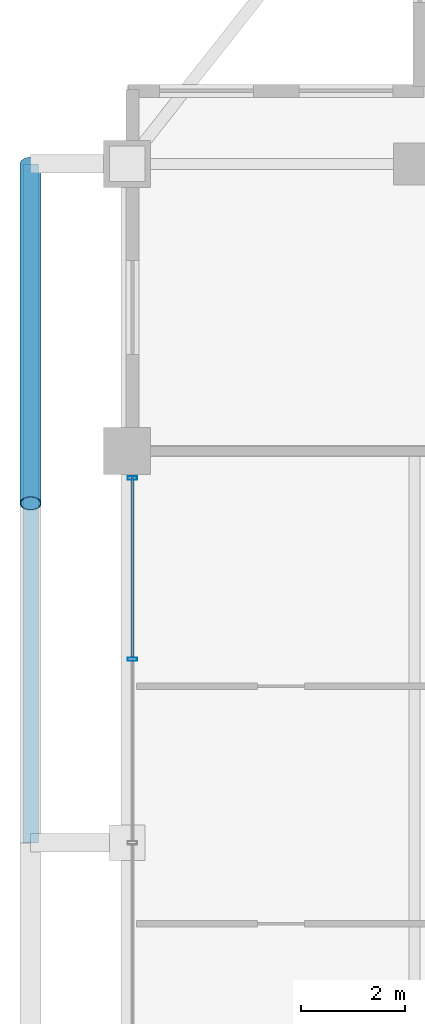
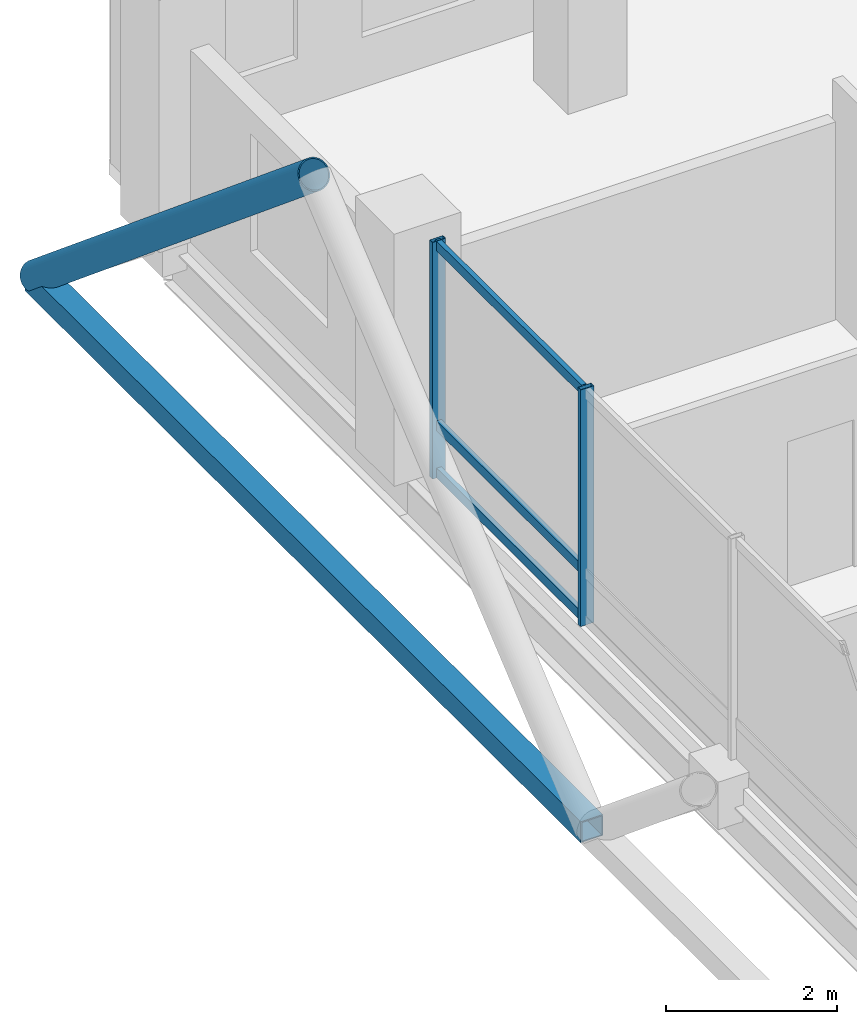
# One storey, part 10 of 24: 7 members, 1 element without a shape of its own.
"""IFC4 building model written with IfcOpenShell, lengths in metres."""

from ifc_helpers import new_model, si_unit, direction, frame, origin, origin_2d, place, context, subcontext, project, spatial, hollow_rectangle, hollow_circle, extrude, material, layer, layer_set, material_profile, profile_set, type_object, element, aggregate, save


model = new_model("IFC4")

# Units and contexts
model_context = context("Model", 3, precision=1e-05, world=origin(), true_north=direction((0.0, 1.0)))
body_context = subcontext(model_context, "Body", "Model", "MODEL_VIEW")
ifc_project = project(units=[si_unit("LENGTHUNIT", "METRE"), si_unit("AREAUNIT", "SQUARE_METRE"), si_unit("VOLUMEUNIT", "CUBIC_METRE"), si_unit("PLANEANGLEUNIT", "RADIAN"), si_unit("MASSUNIT", "GRAM", prefix="KILO")], contexts=[model_context])

# Site, building, storey
site_placement = place(None, origin())
site = spatial("IfcSite", under=ifc_project, at=site_placement, CompositionType="ELEMENT")
building_placement = place(site_placement, origin())
building = spatial("IfcBuilding", under=site, at=building_placement, Name="Barlavira Tower and Art Museum", CompositionType="ELEMENT")
storey_placement = place(building_placement, frame((0.0, 0.0, 251.10009765625)))
storey = spatial("IfcBuildingStorey", under=building, at=storey_placement, Name="L65", CompositionType="ELEMENT", Elevation=251.10009765625)

# Curtain wall, members
ifc_material_1 = material(Name="Low-iron coastal laminated glass", Category="glass")
ifc_layer = layer(ifc_material_1, 0.2099609375, Name="Low-iron coastal laminated glass")
ifc_layer_set = layer_set([ifc_layer], Name="Low-iron coastal laminated glass")
curtain_wall_type = type_object("IfcCurtainWallType", Name="Pale-Metal Unitised Curtain Wall Zone 4", PredefinedType="NOTDEFINED", material=ifc_layer_set)
curtain_wall_placement = place(storey_placement, origin())
curtain_wall = element("IfcCurtainWall", 1, at=curtain_wall_placement, inside=storey, type_object=curtain_wall_type, Name="L65 Curtain Wall CW4-L65-W-B3", PredefinedType="NOTDEFINED")
ifc_material_2 = material(Name="Pale anodised aluminium", Category="aluminium")
ifc_material_profile_1 = material_profile(ifc_material_2, hollow_rectangle(XDim=0.06494140625, YDim=0.179931640625, WallThickness=0.00390625, at=origin_2d()), Name="ALU-MULL 65x180x4")
ifc_profile_set_1 = profile_set([ifc_material_profile_1], Name="Pale anodised aluminium")
member_type_1 = type_object("IfcMemberType", Name="Curtain Wall Pale-Metal Mullion 65x180", PredefinedType="MULLION", material=ifc_profile_set_1)
member_1_placement = place(storey_placement, frame((-16.89990234375, 6.985107421875, 0.0), z_axis=(0.0, 0.0, 1.0), x_axis=(0.0, -1.0, 0.0)))
member_1 = element("IfcMember", 2, at=member_1_placement, type_object=member_type_1, Name="CW4-L65-W-B3 Mullion 0", PredefinedType="MULLION", context=body_context, shape_type="SweptSolid", body=[
    extrude(hollow_rectangle(XDim=0.06494140625, YDim=0.179931640625, WallThickness=0.00390625, at=origin_2d()), origin(), (0.0, 0.0, 1.0), 3.3798828125),
])
member_2_placement = place(storey_placement, frame((-16.89990234375, 3.514892578125, 0.0), z_axis=(0.0, 0.0, 1.0), x_axis=(0.0, -1.0, 0.0)))
member_2 = element("IfcMember", 3, at=member_2_placement, type_object=member_type_1, Name="CW4-L65-W-B3 Mullion 1", PredefinedType="MULLION", context=body_context, shape_type="SweptSolid", body=[
    extrude(hollow_rectangle(XDim=0.06494140625, YDim=0.179931640625, WallThickness=0.00390625, at=origin_2d()), origin(), (0.0, 0.0, 1.0), 3.3798828125),
])
ifc_material_profile_2 = material_profile(ifc_material_2, hollow_rectangle(XDim=0.06494140625, YDim=0.139892578125, WallThickness=0.00390625, at=origin_2d()), Name="ALU-TRAN 65x140x4")
ifc_profile_set_2 = profile_set([ifc_material_profile_2], Name="Pale anodised aluminium")
member_type_2 = type_object("IfcMemberType", Name="Curtain Wall Pale-Metal Transom 65x140", PredefinedType="USERDEFINED", material=ifc_profile_set_2)
member_3_placement = place(storey_placement, frame((-16.89990234375, 6.985107421875, 0.06982421875), z_axis=(0.0, -1.0, 0.0), x_axis=(1.0, 0.0, 0.0)))
member_3 = element("IfcMember", 4, at=member_3_placement, type_object=member_type_2, Name="CW4-L65-W-B3 Transom 0.1", ObjectType="TRANSOM", PredefinedType="USERDEFINED", context=body_context, shape_type="SweptSolid", body=[
    extrude(hollow_rectangle(XDim=0.06494140625, YDim=0.139892578125, WallThickness=0.00390625, at=origin_2d()), origin(), (0.0, 0.0, 1.0), 3.425048828125),
])
member_4_placement = place(storey_placement, frame((-16.89990234375, 6.985107421875, 0.743896484375), z_axis=(0.0, -1.0, 0.0), x_axis=(1.0, 0.0, 0.0)))
member_4 = element("IfcMember", 5, at=member_4_placement, type_object=member_type_2, Name="CW4-L65-W-B3 Transom 0.2", ObjectType="TRANSOM", PredefinedType="USERDEFINED", context=body_context, shape_type="SweptSolid", body=[
    extrude(hollow_rectangle(XDim=0.06494140625, YDim=0.139892578125, WallThickness=0.00390625, at=origin_2d()), origin(), (0.0, 0.0, 1.0), 3.425048828125),
])
member_5_placement = place(storey_placement, frame((-16.89990234375, 6.985107421875, 3.309814453125), z_axis=(0.0, -1.0, 0.0), x_axis=(1.0, 0.0, 0.0)))
member_5 = element("IfcMember", 6, at=member_5_placement, type_object=member_type_2, Name="CW4-L65-W-B3 Transom 0.3", ObjectType="TRANSOM", PredefinedType="USERDEFINED", context=body_context, shape_type="SweptSolid", body=[
    extrude(hollow_rectangle(XDim=0.06494140625, YDim=0.139892578125, WallThickness=0.00390625, at=origin_2d()), origin(), (0.0, 0.0, 1.0), 3.425048828125),
])
aggregate(curtain_wall, [member_1, member_2, member_3, member_4, member_5])

# Members
ifc_material_3 = material(Name="Steel S355", Category="steel")
ifc_material_profile_3 = material_profile(ifc_material_3, hollow_circle(Radius=0.203125, WallThickness=0.01611328125, at=origin_2d()), Name="CHS 406.4x16.0")
ifc_profile_set_3 = profile_set([ifc_material_profile_3], Name="Steel S355")
member_type_3 = type_object("IfcMemberType", Name="Pale-Metal Exoskeleton Diagrid Tube CHS 406x16 Steel S355", PredefinedType="BRACE", material=ifc_profile_set_3)
member_6_placement = place(storey_placement, frame((-18.85009765625, 13.0, -0.1201171875), z_axis=(0.0, -0.769196053329, 0.639012857104), x_axis=(1.0, 0.0, 0.0)))
element("IfcMember", 7, at=member_6_placement, inside=storey, type_object=member_type_3, Name="L65 Exoskeleton Diagrid Tube W", PredefinedType="BRACE", context=body_context, shape_type="SweptSolid", body=[
    extrude(hollow_circle(Radius=0.203125, WallThickness=0.01611328125, at=origin_2d()), origin(), (0.0, 0.0, 1.0), 8.450439453125),
])
ifc_material_profile_4 = material_profile(ifc_material_3, hollow_rectangle(XDim=0.300048828125, YDim=0.300048828125, WallThickness=0.01611328125, at=origin_2d()), Name="SHS 300x300x16.0")
ifc_profile_set_4 = profile_set([ifc_material_profile_4], Name="Steel S355")
member_type_4 = type_object("IfcMemberType", Name="Pale-Metal Upper Ring Strut SHS 300x300x16 Steel S355", PredefinedType="STRUT", material=ifc_profile_set_4)
member_7_placement = place(storey_placement, frame((-18.85009765625, 0.0, -0.1201171875), z_axis=(0.0, 1.0, 0.0), x_axis=(-1.0, 0.0, 0.0)))
element("IfcMember", 8, at=member_7_placement, inside=storey, type_object=member_type_4, Name="L65 Exoskeleton Ring Strut W", PredefinedType="STRUT", context=body_context, shape_type="SweptSolid", body=[
    extrude(hollow_rectangle(XDim=0.300048828125, YDim=0.300048828125, WallThickness=0.01611328125, at=origin_2d()), origin(), (0.0, 0.0, 1.0), 13.0),
])

save(model, "model.ifc")
